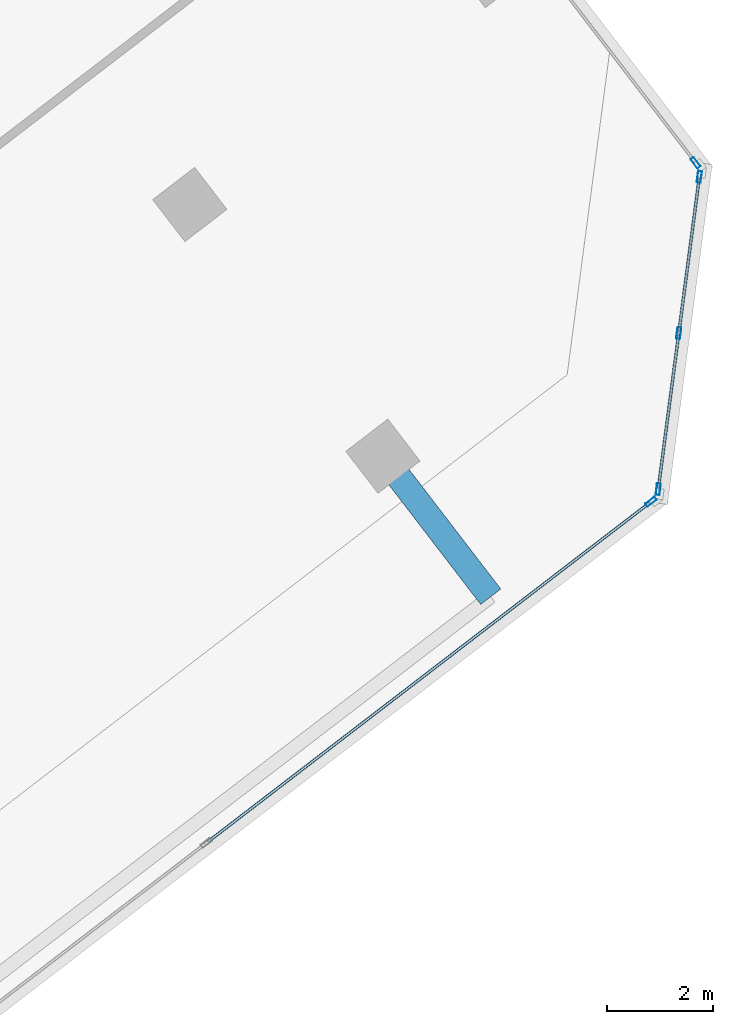
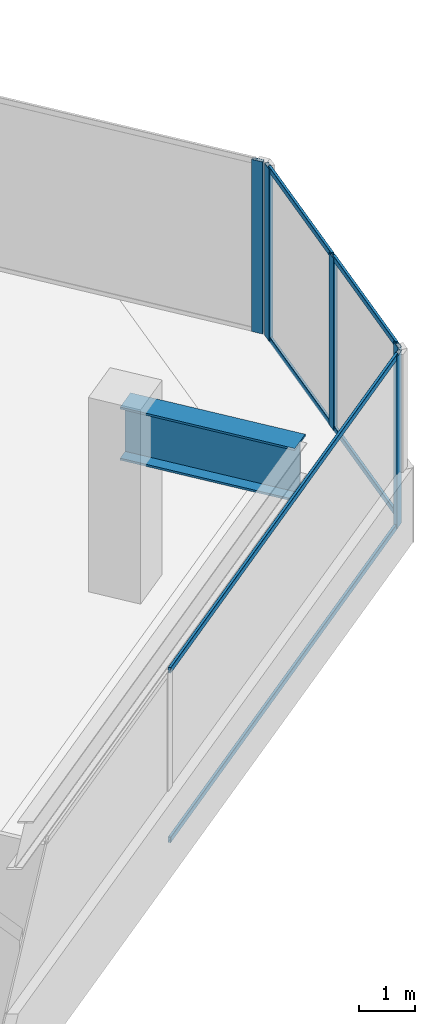
# One storey, part 6 of 17: 11 members, 1 beam, 3 elements without a shape of their own.
"""IFC4 building model written with IfcOpenShell, lengths in metres."""

import ifcopenshell
import ifcopenshell.guid

model = None  # the IFC model being written
_history = None  # IfcOwnerHistory: only IFC2X3 demands one
_inside = {}  # id of a spatial element -> (the spatial element, [elements in it])
_under = {}  # id of a project, library or spatial element -> (it, [spatial elements below it])
_declared = {}  # id of a project -> (the project, [libraries it declares])
_typed = {}  # id of a type object -> (the type object, [elements of that type])
_made_of = {}  # id of a material, layer set ... -> (it, [elements and type objects made of it])


def new_model(schema):
    """Start an empty IFC model of exactly this schema.

    Asked for "IFC4X3", IfcOpenShell would pick the latest addendum, in which some entities
    have other attributes; the version numbers below select the first issue.
    IFC2X3 requires an IfcOwnerHistory on every rooted entity: one is made here for all.
    """
    global model, _history
    if schema == "IFC4X3":
        model = ifcopenshell.file(schema_version=(4, 3, 0, 0))
    else:
        model = ifcopenshell.file(schema=schema)
    _inside.clear()
    _under.clear()
    _declared.clear()
    _typed.clear()
    _made_of.clear()
    _history = None
    if model.schema == "IFC2X3":
        org = make("IfcOrganization", Name="unknown")
        user = make(
            "IfcPersonAndOrganization",
            ThePerson=make("IfcPerson", FamilyName="unknown"),
            TheOrganization=org,
        )
        app = make(
            "IfcApplication",
            ApplicationDeveloper=org,
            Version="unknown",
            ApplicationFullName="unknown",
            ApplicationIdentifier="unknown",
        )
        _history = make(
            "IfcOwnerHistory",
            OwningUser=user,
            OwningApplication=app,
            ChangeAction="ADDED",
            CreationDate=0,
        )
    return model


def make(cls, **values):
    """One entity of the class cls with the attributes given. An attribute that is None is left unset."""
    return model.create_entity(
        cls, **{name: value for name, value in values.items() if value is not None}
    )


def rooted(cls, **values):
    """An entity with a GlobalId (a new one), such as an element, a storey or a relation."""
    return make(cls, GlobalId=ifcopenshell.guid.new(), OwnerHistory=_history, **values)


def si_unit(unit_type, name, prefix=None):
    """IfcSIUnit, for example si_unit("LENGTHUNIT", "METRE", prefix="MILLI")."""
    return make("IfcSIUnit", UnitType=unit_type, Prefix=prefix, Name=name)


def assignment(units):
    """IfcUnitAssignment: the units of a project."""
    return None if units is None else make("IfcUnitAssignment", Units=units)


def point(xyz):
    """IfcCartesianPoint."""
    return None if xyz is None else make("IfcCartesianPoint", Coordinates=xyz)


def direction(xyz):
    """IfcDirection."""
    return None if xyz is None else make("IfcDirection", DirectionRatios=xyz)


def frame(location, z_axis=None, x_axis=None):
    """IfcAxis2Placement3D, a coordinate frame: its origin and axes. An axis left out is left unset."""
    return make(
        "IfcAxis2Placement3D",
        Location=point(location),
        Axis=direction(z_axis),
        RefDirection=direction(x_axis),
    )


def frame_2d(location, x_axis=None):
    """IfcAxis2Placement2D, a coordinate frame in the plane: its origin and x axis."""
    return make(
        "IfcAxis2Placement2D", Location=point(location), RefDirection=direction(x_axis)
    )


def origin():
    """The frame at (0, 0, 0) with its axes left unset."""
    return frame((0.0, 0.0, 0.0))


def origin_2d():
    """The frame at (0, 0) in the plane with its x axis left unset."""
    return frame_2d((0.0, 0.0))


def place(relative_to, where):
    """IfcLocalPlacement: puts the frame where relative to a parent placement (None: the world)."""
    return make(
        "IfcLocalPlacement", PlacementRelTo=relative_to, RelativePlacement=where
    )


def context(
    kind, dimensions, precision=None, world=None, true_north=None, identifier=None
):
    """IfcGeometricRepresentationContext, for example the 3D "Model" context."""
    return make(
        "IfcGeometricRepresentationContext",
        ContextIdentifier=identifier,
        ContextType=kind,
        CoordinateSpaceDimension=dimensions,
        Precision=precision,
        WorldCoordinateSystem=world,
        TrueNorth=true_north,
    )


def subcontext(parent, identifier, kind, view, scale=None):
    """IfcGeometricRepresentationSubContext, for example "Body" below "Model"."""
    return make(
        "IfcGeometricRepresentationSubContext",
        ContextIdentifier=identifier,
        ContextType=kind,
        ParentContext=parent,
        TargetScale=scale,
        TargetView=view,
    )


def project(units=None, contexts=None):
    """IfcProject with its units and contexts."""
    return rooted(
        "IfcProject",
        Name="project",
        RepresentationContexts=contexts,
        UnitsInContext=assignment(units),
    )


def spatial(cls, under=None, at=None, **own):
    """A site, building, storey or space (cls), placed at a placement, below another one or the project."""
    s = rooted(cls, ObjectPlacement=at, **own)
    if under is not None:
        _under.setdefault(under.id(), (under, []))[1].append(s)
    return s


def profile(cls, at=None, kind="AREA", **sizes):
    """A parametric profile (cls). Its sizes go by their IFC names, for example OverallWidth=200.0."""
    return make(cls, ProfileType=kind, Position=at, **sizes)


def hollow_rectangle(**sizes):
    """IfcRectangleHollowProfileDef."""
    return profile("IfcRectangleHollowProfileDef", **sizes)


def i_section(**sizes):
    """IfcIShapeProfileDef."""
    return profile("IfcIShapeProfileDef", **sizes)


def extrude(swept, where, along, depth):
    """IfcExtrudedAreaSolid: the profile swept, set in the frame where, extruded along a direction by depth."""
    return make(
        "IfcExtrudedAreaSolid",
        SweptArea=swept,
        Position=where,
        ExtrudedDirection=direction(along),
        Depth=depth,
    )


def shape(context_of_items, identifier, shape_type, items):
    """IfcShapeRepresentation: the items that make up one representation, for example the "Body"."""
    return make(
        "IfcShapeRepresentation",
        ContextOfItems=context_of_items,
        RepresentationIdentifier=identifier,
        RepresentationType=shape_type,
        Items=items,
    )


def source(mapping_origin, context_of_items, identifier, shape_type, items):
    """IfcRepresentationMap: a shape defined once, which mapped items show again and again."""
    return make(
        "IfcRepresentationMap",
        MappingOrigin=mapping_origin,
        MappedRepresentation=shape(context_of_items, identifier, shape_type, items),
    )


def transform(
    local_origin,
    x_axis=None,
    y_axis=None,
    z_axis=None,
    scale=None,
    scale2=None,
    scale3=None,
    uniform=True,
):
    """IfcCartesianTransformationOperator3D, or its non-uniform kind. x_axis, y_axis, z_axis: its Axis1, 2, 3."""
    if uniform:
        return make(
            "IfcCartesianTransformationOperator3D",
            Axis1=direction(x_axis),
            Axis2=direction(y_axis),
            LocalOrigin=point(local_origin),
            Scale=scale,
            Axis3=direction(z_axis),
        )
    return make(
        "IfcCartesianTransformationOperator3DnonUniform",
        Axis1=direction(x_axis),
        Axis2=direction(y_axis),
        LocalOrigin=point(local_origin),
        Scale=scale,
        Axis3=direction(z_axis),
        Scale2=scale2,
        Scale3=scale3,
    )


def mapped(mapping_source, mapping_target):
    """IfcMappedItem: shows the shape of a source again, moved by a transform."""
    return make(
        "IfcMappedItem", MappingSource=mapping_source, MappingTarget=mapping_target
    )


def material(Name=None, Category=None):
    """IfcMaterial."""
    return make("IfcMaterial", Name=Name, Category=Category)


def material_profile(
    of_material, cross_section, Name=None, Category=None, Priority=None
):
    """IfcMaterialProfile: a cross section and its material."""
    return make(
        "IfcMaterialProfile",
        Name=Name,
        Material=of_material,
        Profile=cross_section,
        Priority=Priority,
        Category=Category,
    )


def profile_set(profiles, Name=None, composite=None):
    """IfcMaterialProfileSet."""
    return make(
        "IfcMaterialProfileSet",
        Name=Name,
        MaterialProfiles=profiles,
        CompositeProfile=composite,
    )


def made_of(thing, what):
    """Note that an element or type object is made of a material, layer set ...; save() writes the relation."""
    if what is not None:
        _made_of.setdefault(what.id(), (what, []))[1].append(thing)
    return thing


def type_object(cls, material=None, **own):
    """A type object (cls), such as IfcWallType, which elements share."""
    return made_of(rooted(cls, **own), material)


def element(
    cls,
    number,
    at=None,
    inside=None,
    cuts=None,
    type_object=None,
    material=None,
    context=None,
    identifier="Body",
    shape_type=None,
    held_by="IfcProductDefinitionShape",
    body=None,
    shapes=None,
    **own,
):
    """One element of the class cls, such as IfcWall. Its Tag is "e" and its number.

    at: its placement. inside: the storey or other place that contains it. cuts: it is an
    opening in that element (IfcRelVoidsElement). A single representation is given by context,
    identifier, shape_type and body (its items); several are given by shapes. held_by: the class
    of the entity that holds the representations. save() writes the other relations.
    """
    e = rooted(cls, Tag="e%d" % number, ObjectPlacement=at, **own)
    if body is not None:
        shapes = [shape(context, identifier, shape_type, body)]
    if shapes is not None:
        e.Representation = make(held_by, Representations=shapes)
    if inside is not None:
        _inside.setdefault(inside.id(), (inside, []))[1].append(e)
    if cuts is not None:
        rooted(
            "IfcRelVoidsElement", RelatingBuildingElement=cuts, RelatedOpeningElement=e
        )
    if type_object is not None:
        _typed.setdefault(type_object.id(), (type_object, []))[1].append(e)
    return made_of(e, material)


def aggregate(whole, parts):
    """IfcRelAggregates: a whole, such as a stair, and the parts it consists of."""
    return rooted("IfcRelAggregates", RelatingObject=whole, RelatedObjects=parts)


def save(model, path):
    """Write the relations noted so far, then the file.

    IfcRelAggregates (storeys below a building ...), IfcRelContainedInSpatialStructure (elements
    in a storey), IfcRelDefinesByType, IfcRelAssociatesMaterial and IfcRelDeclares: one each for
    every whole, place, type object, material and project.
    """
    for whole, parts in _under.values():
        aggregate(whole, parts)
    for where, things in _inside.values():
        rooted(
            "IfcRelContainedInSpatialStructure",
            RelatedElements=things,
            RelatingStructure=where,
        )
    for kind, things in _typed.values():
        rooted("IfcRelDefinesByType", RelatedObjects=things, RelatingType=kind)
    for what, things in _made_of.values():
        rooted("IfcRelAssociatesMaterial", RelatedObjects=things, RelatingMaterial=what)
    for by, libraries in _declared.values():
        rooted("IfcRelDeclares", RelatingContext=by, RelatedDefinitions=libraries)
    model.write(path)


model = new_model("IFC4")

# Units and contexts
model_context = context("Model", 3, precision=1e-05, world=origin(), true_north=direction((0.0, 1.0)))
body_context = subcontext(model_context, "Body", "Model", "MODEL_VIEW")
ifc_project = project(units=[si_unit("LENGTHUNIT", "METRE"), si_unit("AREAUNIT", "SQUARE_METRE"), si_unit("VOLUMEUNIT", "CUBIC_METRE"), si_unit("PLANEANGLEUNIT", "RADIAN"), si_unit("MASSUNIT", "GRAM", prefix="KILO")], contexts=[model_context])

# Site, building, storey
site_placement = place(None, origin())
site = spatial("IfcSite", under=ifc_project, at=site_placement, CompositionType="ELEMENT")
building_placement = place(site_placement, origin())
building = spatial("IfcBuilding", under=site, at=building_placement, Name="Torre Montelarca", CompositionType="ELEMENT")
storey_placement = place(building_placement, frame((0.0, 0.0, 279.39990234375)))
storey = spatial("IfcBuildingStorey", under=building, at=storey_placement, Name="L63", CompositionType="ELEMENT", Elevation=279.39990234375)

# Beam
ifc_material_1 = material(Name="Steel ASTM A572 Grade 50", Category="steel")
ifc_material_profile_1 = material_profile(ifc_material_1, i_section(OverallWidth=0.47998046875, OverallDepth=1.14990234375, WebThickness=0.02197265625, FlangeThickness=0.044921875, at=origin_2d()), Name="PG1150X480X22X45", Category="steel")
ifc_profile_set_1 = profile_set([ifc_material_profile_1], Name="Steel ASTM A572 Grade 50")
beam_type = type_object("IfcBeamType", Name="BM-CG-PG1400-EXT", PredefinedType="USERDEFINED", material=ifc_profile_set_1)
shared_shape_1 = source(origin(), body_context, "Body", "SweptSolid", [
    extrude(i_section(OverallWidth=0.47998046875, OverallDepth=1.14990234375, WebThickness=0.02197265625, FlangeThickness=0.044921875, at=origin_2d()), origin(), (0.0, 0.0, 1.0), 3.349853515625),
])
beam_placement = place(storey_placement, frame((40.326416015625, 20.606201171875, 3.385009765625), z_axis=(0.608755851541, -0.793357620002, 0.0), x_axis=(0.793357620002, 0.608755851541, 0.0)))
element("IfcBeam", 1, at=beam_placement, inside=storey, type_object=beam_type, Name="L63 Sliding Tray Cantilever Girder East Y=40m (FLR)", ObjectType="CANTILEVER GIRDER", PredefinedType="USERDEFINED", context=body_context, shape_type="MappedRepresentation", body=[
    mapped(shared_shape_1, transform((0.0, 0.0, 0.0), scale=1.0)),
])

# Curtain wall, members
ifc_material_2 = material(Name="Insulated low-E laminated glass", Category="glass")
curtain_wall_type = type_object("IfcCurtainWallType", Name="CW-SYS-Z3", PredefinedType="USERDEFINED", material=ifc_material_2)
curtain_wall_1_placement = place(storey_placement, origin())
curtain_wall_1 = element("IfcCurtainWall", 2, at=curtain_wall_1_placement, inside=storey, type_object=curtain_wall_type, Name="L63 Curtain Wall Run CW-T3-L63-E07-B1", ObjectType="UNITISED GLAZING", PredefinedType="USERDEFINED")
ifc_material_3 = material(Name="Anodised aluminium AA 6063-T6", Category="aluminium")
ifc_material_profile_2 = material_profile(ifc_material_3, hollow_rectangle(XDim=0.054931640625, YDim=0.1201171875, WallThickness=0.00341796875, InnerFilletRadius=0.00341796875, OuterFilletRadius=0.007080078125, at=origin_2d()), Name="ALU55X120X3.5", Category="aluminium")
ifc_profile_set_2 = profile_set([ifc_material_profile_2], Name="Anodised aluminium AA 6063-T6")
member_type_1 = type_object("IfcMemberType", Name="CWT-ALU120", PredefinedType="USERDEFINED", material=ifc_profile_set_2)
shared_shape_2 = source(origin(), body_context, "Body", "SweptSolid", [
    extrude(hollow_rectangle(XDim=0.054931640625, YDim=0.1201171875, WallThickness=0.00341796875, InnerFilletRadius=0.00341796875, OuterFilletRadius=0.007080078125, at=origin_2d()), origin(), (0.0, 0.0, 1.0), 2.903564453125),
])
member_1_placement = place(storey_placement, frame((45.53857421875, 20.0205078125, 0.027587890625), z_axis=(0.130500189743, 0.991448284318, 0.0), x_axis=(-0.991448284318, 0.130500189743, 0.0)))
member_1 = element("IfcMember", 3, at=member_1_placement, type_object=member_type_1, Name="CW transom 1.1", ObjectType="TRANSOM", PredefinedType="USERDEFINED", context=body_context, shape_type="MappedRepresentation", body=[
    mapped(shared_shape_2, transform((0.0, 0.0, 0.0), scale=1.0)),
])
member_2_placement = place(storey_placement, frame((45.53857421875, 20.0205078125, 3.692626953125), z_axis=(0.130500189743, 0.991448284318, 0.0), x_axis=(-0.991448284318, 0.130500189743, 0.0)))
member_2 = element("IfcMember", 4, at=member_2_placement, type_object=member_type_1, Name="CW transom 1.2", ObjectType="TRANSOM", PredefinedType="USERDEFINED", context=body_context, shape_type="MappedRepresentation", body=[
    mapped(shared_shape_2, transform((0.0, 0.0, 0.0), scale=1.0)),
])

curtain_wall_2_placement = place(storey_placement, origin())
curtain_wall_2 = element("IfcCurtainWall", 5, at=curtain_wall_2_placement, inside=storey, type_object=curtain_wall_type, Name="L63 Curtain Wall Run CW-T3-L63-E06-B1", ObjectType="UNITISED GLAZING", PredefinedType="USERDEFINED")
shared_shape_3 = source(origin(), body_context, "Body", "SweptSolid", [
    extrude(hollow_rectangle(XDim=0.054931640625, YDim=0.1201171875, WallThickness=0.00341796875, InnerFilletRadius=0.00341796875, OuterFilletRadius=0.007080078125, at=origin_2d()), origin(), (0.0, 0.0, 1.0), 10.521728515625),
])
member_3_placement = place(storey_placement, frame((37.018310546875, 13.31591796875, 0.027587890625), z_axis=(0.793349721121, 0.608766145574, 0.0), x_axis=(-0.608766145574, 0.793349721121, 0.0)))
member_3 = element("IfcMember", 6, at=member_3_placement, type_object=member_type_1, Name="CW transom 2.1", ObjectType="TRANSOM", PredefinedType="USERDEFINED", context=body_context, shape_type="MappedRepresentation", body=[
    mapped(shared_shape_3, transform((0.0, 0.0, 0.0), scale=1.0)),
])
member_4_placement = place(storey_placement, frame((37.018310546875, 13.31591796875, 3.692626953125), z_axis=(0.793349721121, 0.608766145574, 0.0), x_axis=(-0.608766145574, 0.793349721121, 0.0)))
member_4 = element("IfcMember", 7, at=member_4_placement, type_object=member_type_1, Name="CW transom 2.2", ObjectType="TRANSOM", PredefinedType="USERDEFINED", context=body_context, shape_type="MappedRepresentation", body=[
    mapped(shared_shape_3, transform((0.0, 0.0, 0.0), scale=1.0)),
])
ifc_material_profile_3 = material_profile(ifc_material_3, hollow_rectangle(XDim=0.074951171875, YDim=0.219970703125, WallThickness=0.0048828125, InnerFilletRadius=0.0048828125, OuterFilletRadius=0.010009765625, at=origin_2d()), Name="ALU75X220X5", Category="aluminium")
ifc_profile_set_3 = profile_set([ifc_material_profile_3], Name="Anodised aluminium AA 6063-T6")
member_type_2 = type_object("IfcMemberType", Name="CWM-ALU220", PredefinedType="MULLION", material=ifc_profile_set_3)
shared_shape_4 = source(origin(), body_context, "Body", "SweptSolid", [
    extrude(hollow_rectangle(XDim=0.074951171875, YDim=0.219970703125, WallThickness=0.0048828125, InnerFilletRadius=0.0048828125, OuterFilletRadius=0.010009765625, at=origin_2d()), origin(), (0.0, 0.0, 1.0), 3.72021484375),
])
member_5_placement = place(storey_placement, frame((45.3955078125, 19.744140625, 0.0), z_axis=(0.0, 0.0, 1.0), x_axis=(-0.608763250019, 0.793351942978, 0.0)))
member_5 = element("IfcMember", 8, at=member_5_placement, type_object=member_type_2, Name="CW mullion 3", PredefinedType="MULLION", context=body_context, shape_type="MappedRepresentation", body=[
    mapped(shared_shape_4, transform((0.0, 0.0, 0.0), scale=1.0)),
])
aggregate(curtain_wall_2, [member_5, member_3, member_4])

# Member
member_6_placement = place(storey_placement, frame((45.53369140625, 19.9833984375, 0.0), z_axis=(0.0, 0.0, 1.0), x_axis=(-0.991446450787, 0.130514118862, 0.0)))
member_6 = element("IfcMember", 9, at=member_6_placement, type_object=member_type_2, Name="CW mullion 1", PredefinedType="MULLION", context=body_context, shape_type="MappedRepresentation", body=[
    mapped(shared_shape_4, transform((0.0, 0.0, 0.0), scale=1.0)),
])

member_7_placement = place(storey_placement, frame((45.92236328125, 22.9365234375, 0.0), z_axis=(0.0, 0.0, 1.0), x_axis=(-0.991446450787, 0.130514118862, 0.0)))
member_7 = element("IfcMember", 10, at=member_7_placement, type_object=member_type_2, Name="CW mullion 2", PredefinedType="MULLION", context=body_context, shape_type="MappedRepresentation", body=[
    mapped(shared_shape_4, transform((0.0, 0.0, 0.0), scale=1.0)),
])

member_8_placement = place(storey_placement, frame((46.311279296875, 25.8896484375, 0.0), z_axis=(0.0, 0.0, 1.0), x_axis=(-0.991446450787, 0.130514118862, 0.0)))
member_8 = element("IfcMember", 11, at=member_8_placement, type_object=member_type_2, Name="CW mullion 3", PredefinedType="MULLION", context=body_context, shape_type="MappedRepresentation", body=[
    mapped(shared_shape_4, transform((0.0, 0.0, 0.0), scale=1.0)),
])

# Curtain wall, member
curtain_wall_3_placement = place(storey_placement, origin())
curtain_wall_3 = element("IfcCurtainWall", 12, at=curtain_wall_3_placement, inside=storey, type_object=curtain_wall_type, Name="L63 Curtain Wall Run CW-T3-L63-E08-B1", ObjectType="UNITISED GLAZING", PredefinedType="USERDEFINED")
member_9_placement = place(storey_placement, frame((46.23974609375, 26.15625, 0.0), z_axis=(0.0, 0.0, 1.0), x_axis=(-0.793353678896, -0.60876098773, 0.0)))
member_9 = element("IfcMember", 13, at=member_9_placement, type_object=member_type_2, Name="CW mullion 1", PredefinedType="MULLION", context=body_context, shape_type="MappedRepresentation", body=[
    mapped(shared_shape_4, transform((0.0, 0.0, 0.0), scale=1.0)),
])
aggregate(curtain_wall_3, [member_9])

# Member
shared_shape_5 = source(origin(), body_context, "Body", "SweptSolid", [
    extrude(hollow_rectangle(XDim=0.054931640625, YDim=0.1201171875, WallThickness=0.00341796875, InnerFilletRadius=0.00341796875, OuterFilletRadius=0.007080078125, at=origin_2d()), origin(), (0.0, 0.0, 1.0), 2.90380859375),
])
member_10_placement = place(storey_placement, frame((45.92724609375, 22.9736328125, 0.027587890625), z_axis=(0.130571956517, 0.991438835315, 0.0), x_axis=(-0.991438835315, 0.130571956517, 0.0)))
member_10 = element("IfcMember", 14, at=member_10_placement, type_object=member_type_1, Name="CW transom 2.1", ObjectType="TRANSOM", PredefinedType="USERDEFINED", context=body_context, shape_type="MappedRepresentation", body=[
    mapped(shared_shape_5, transform((0.0, 0.0, 0.0), scale=1.0)),
])

member_11_placement = place(storey_placement, frame((45.92724609375, 22.9736328125, 3.692626953125), z_axis=(0.130571956517, 0.991438835315, 0.0), x_axis=(-0.991438835315, 0.130571956517, 0.0)))
member_11 = element("IfcMember", 15, at=member_11_placement, type_object=member_type_1, Name="CW transom 2.2", ObjectType="TRANSOM", PredefinedType="USERDEFINED", context=body_context, shape_type="MappedRepresentation", body=[
    mapped(shared_shape_5, transform((0.0, 0.0, 0.0), scale=1.0)),
])

aggregate(curtain_wall_1, [member_6, member_7, member_8, member_1, member_2, member_10, member_11])

save(model, "model.ifc")
